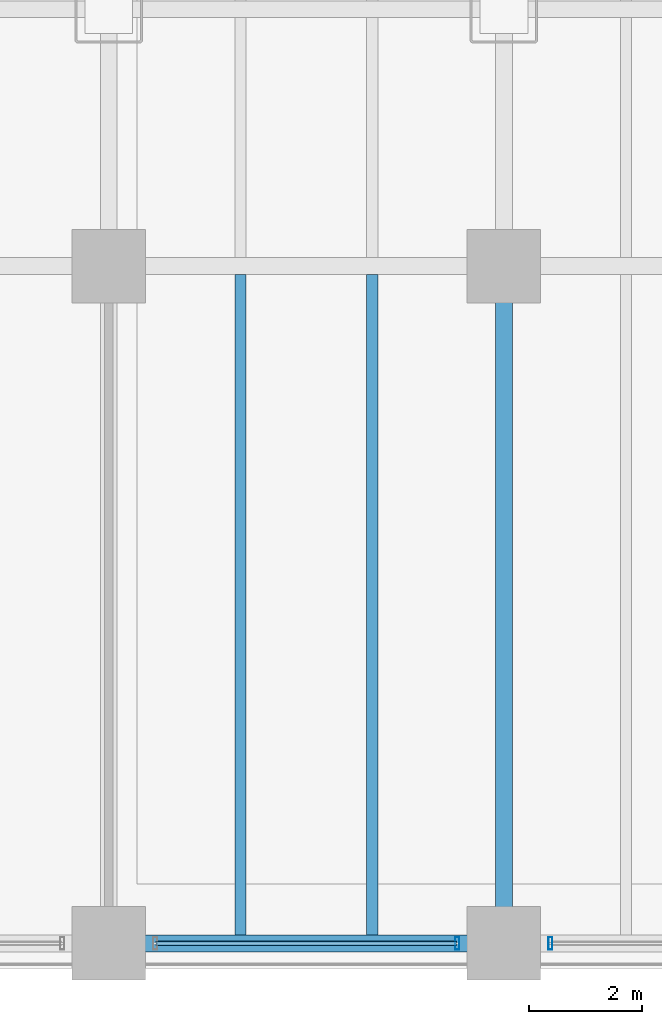
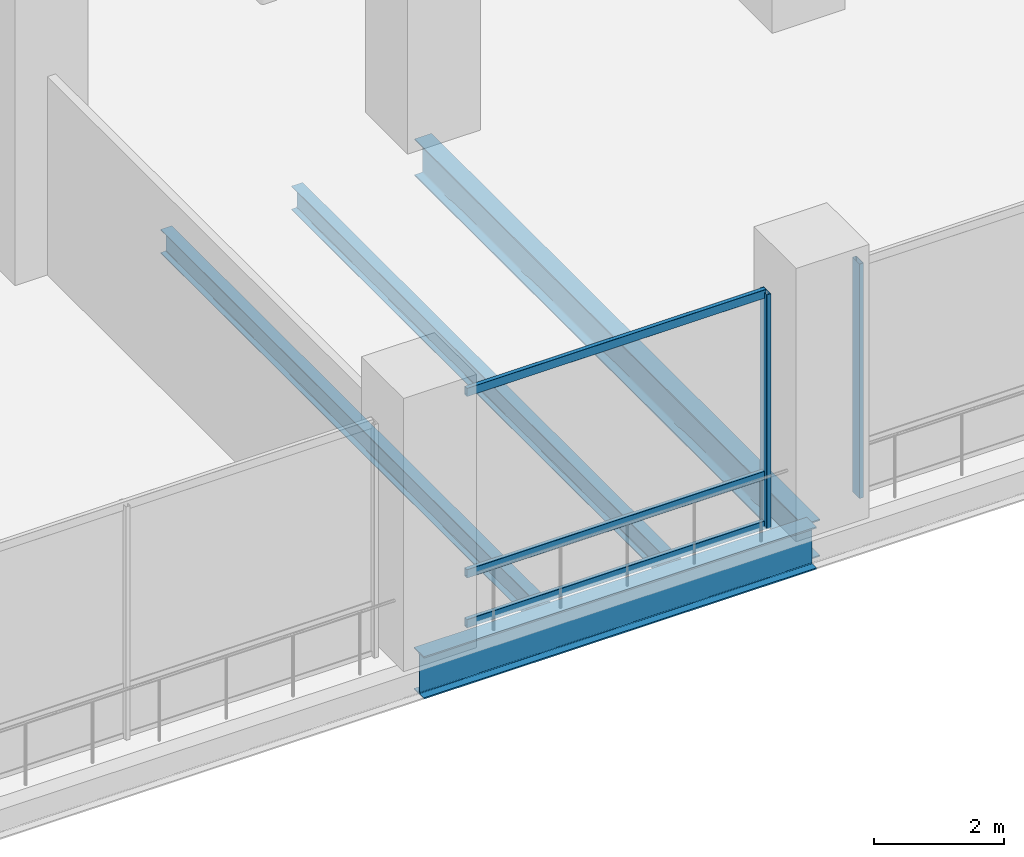
# One storey, part 7 of 30: 5 members, 4 beams, 2 elements without a shape of their own.
"""IFC4 building model written with IfcOpenShell, lengths in metres."""

from ifc_helpers import new_model, si_unit, direction, frame, origin, origin_2d, place, context, subcontext, project, spatial, hollow_rectangle, i_section, extrude, material, material_profile, profile_set, type_object, element, aggregate, save


model = new_model("IFC4")

# Units and contexts
model_context = context("Model", 3, precision=1e-05, world=origin(), true_north=direction((0.0, 1.0)))
body_context = subcontext(model_context, "Body", "Model", "MODEL_VIEW")
ifc_project = project(units=[si_unit("LENGTHUNIT", "METRE"), si_unit("AREAUNIT", "SQUARE_METRE"), si_unit("VOLUMEUNIT", "CUBIC_METRE"), si_unit("PLANEANGLEUNIT", "RADIAN"), si_unit("MASSUNIT", "GRAM", prefix="KILO")], contexts=[model_context])

# Site, building, storey
site_placement = place(None, origin())
site = spatial("IfcSite", under=ifc_project, at=site_placement, CompositionType="ELEMENT")
building_placement = place(site_placement, origin())
building = spatial("IfcBuilding", under=site, at=building_placement, Name="Noeulbin Bourse Tower", CompositionType="ELEMENT")
storey_placement = place(building_placement, frame((0.0, 0.0, 16.60009765625)))
storey = spatial("IfcBuildingStorey", under=building, at=storey_placement, Name="L04", CompositionType="ELEMENT", Elevation=16.60009765625)

# Beams
ifc_material_1 = material(Name="Steel S355", Category="steel")
ifc_material_profile_1 = material_profile(ifc_material_1, i_section(OverallWidth=0.300048828125, OverallDepth=0.699951171875, WebThickness=0.012939453125, FlangeThickness=0.02392578125, FilletRadius=0.02392578125, at=origin_2d()), Name="H-700x300x13x24", Category="LoadBearing")
ifc_profile_set_1 = profile_set([ifc_material_profile_1], Name="Steel S355")
beam_type_1 = type_object("IfcBeamType", Name="BM-GRD-700", PredefinedType="USERDEFINED", material=ifc_profile_set_1)
beam_1_placement = place(storey_placement, frame((31.0, 3.449951171875, -0.60009765625), z_axis=(0.0, 1.0, 0.0), x_axis=(-1.0, 0.0, 0.0)))
element("IfcBeam", 1, at=beam_1_placement, inside=storey, type_object=beam_type_1, Name="Podium Primary Girder NS L04-080", ObjectType="GIRDER", PredefinedType="USERDEFINED", context=body_context, shape_type="SweptSolid", body=[
    extrude(i_section(OverallWidth=0.300048828125, OverallDepth=0.699951171875, WebThickness=0.012939453125, FlangeThickness=0.02392578125, FilletRadius=0.02392578125, at=origin_2d()), origin(), (0.0, 0.0, 1.0), 12.0),
])
ifc_material_profile_2 = material_profile(ifc_material_1, i_section(OverallWidth=0.300048828125, OverallDepth=0.800048828125, WebThickness=0.013916015625, FlangeThickness=0.02587890625, FilletRadius=0.02587890625, at=origin_2d()), Name="H-800x300x14x26", Category="LoadBearing")
ifc_profile_set_2 = profile_set([ifc_material_profile_2], Name="Steel S355")
beam_type_2 = type_object("IfcBeamType", Name="BM-GRD-800", PredefinedType="USERDEFINED", material=ifc_profile_set_2)
beam_2_placement = place(storey_placement, frame((24.0, 3.449951171875, -0.650146484375), z_axis=(1.0, 0.0, 0.0), x_axis=(0.0, 1.0, 0.0)))
element("IfcBeam", 2, at=beam_2_placement, inside=storey, type_object=beam_type_2, Name="Podium Primary Girder EW L04-004", ObjectType="GIRDER", PredefinedType="USERDEFINED", context=body_context, shape_type="SweptSolid", body=[
    extrude(i_section(OverallWidth=0.300048828125, OverallDepth=0.800048828125, WebThickness=0.013916015625, FlangeThickness=0.02587890625, FilletRadius=0.02587890625, at=origin_2d()), origin(), (0.0, 0.0, 1.0), 7.0),
])
ifc_material_profile_3 = material_profile(ifc_material_1, i_section(OverallWidth=0.199951171875, OverallDepth=0.449951171875, WebThickness=0.009033203125, FlangeThickness=0.013916015625, FilletRadius=0.01806640625, at=origin_2d()), Name="H-450x200x9x14", Category="LoadBearing")
ifc_profile_set_3 = profile_set([ifc_material_profile_3], Name="Steel S355")
beam_type_3 = type_object("IfcBeamType", Name="BM-SEC-450", PredefinedType="BEAM", material=ifc_profile_set_3)
for number, where, z_axis, x_axis, name in (
    (3, (26.333251953125, 3.60009765625, -0.47509765625), (0.0, 1.0, 0.0), (-1.0, 0.0, 0.0), "Podium Secondary Beam L04-043"),
    (4, (28.666748046875, 3.60009765625, -0.47509765625), (0.0, 1.0, 0.0), (-1.0, 0.0, 0.0), "Podium Secondary Beam L04-048"),
):
    element("IfcBeam", number, at=place(storey_placement, frame(where, z_axis=z_axis, x_axis=x_axis)), inside=storey, type_object=beam_type_3, Name=name, PredefinedType="BEAM", context=body_context, shape_type="SweptSolid", body=[
        extrude(i_section(OverallWidth=0.199951171875, OverallDepth=0.449951171875, WebThickness=0.009033203125, FlangeThickness=0.013916015625, FilletRadius=0.01806640625, at=origin_2d()), origin(), (0.0, 0.0, 1.0), 11.699951171875),
    ])

# Curtain wall, member
ifc_material_2 = material(Name="Laminated Clear Low-E Glass", Category="glass")
curtain_wall_type = type_object("IfcCurtainWallType", Name="CW-SYS-1", PredefinedType="NOTDEFINED", material=ifc_material_2)
curtain_wall_1_placement = place(storey_placement, origin())
curtain_wall_1 = element("IfcCurtainWall", 5, at=curtain_wall_1_placement, inside=storey, type_object=curtain_wall_type, Name="Unitised Curtain Wall CW-L04-POD-S-S3", PredefinedType="NOTDEFINED")
ifc_material_3 = material(Name="Anodised Aluminium 6063-T6", Category="aluminium")
ifc_material_profile_4 = material_profile(ifc_material_3, hollow_rectangle(XDim=0.074951171875, YDim=0.219970703125, WallThickness=0.0048828125, InnerFilletRadius=0.00244140625, OuterFilletRadius=0.0048828125, at=origin_2d()), Name="ALU-MULL-75x220x5", Category="LoadBearing")
ifc_profile_set_4 = profile_set([ifc_material_profile_4], Name="Anodised Aluminium 6063-T6")
member_type_1 = type_object("IfcMemberType", Name="CW-SYS-1-MUL", PredefinedType="MULLION", material=ifc_profile_set_4)
member_1_placement = place(storey_placement, frame((30.175048828125, 3.449951171875, -0.02001953125), z_axis=(0.0, 0.0, 1.0), x_axis=(1.0, 0.0, 0.0)))
member_1 = element("IfcMember", 6, at=member_1_placement, type_object=member_type_1, Name="Curtain Wall Mullion CW-L04-POD-S-S3-M01", PredefinedType="MULLION", context=body_context, shape_type="SweptSolid", body=[
    extrude(hollow_rectangle(XDim=0.074951171875, YDim=0.219970703125, WallThickness=0.0048828125, InnerFilletRadius=0.00244140625, OuterFilletRadius=0.0048828125, at=origin_2d()), origin(), (0.0, 0.0, 1.0), 4.419921875),
])

curtain_wall_2_placement = place(storey_placement, origin())
curtain_wall_2 = element("IfcCurtainWall", 7, at=curtain_wall_2_placement, inside=storey, type_object=curtain_wall_type, Name="Unitised Curtain Wall CW-L04-POD-S-S4", PredefinedType="NOTDEFINED")
member_2_placement = place(storey_placement, frame((31.824951171875, 3.449951171875, -0.02001953125), z_axis=(0.0, 0.0, 1.0), x_axis=(1.0, 0.0, 0.0)))
member_2 = element("IfcMember", 8, at=member_2_placement, type_object=member_type_1, Name="Curtain Wall Mullion CW-L04-POD-S-S4-M00", PredefinedType="MULLION", context=body_context, shape_type="SweptSolid", body=[
    extrude(hollow_rectangle(XDim=0.074951171875, YDim=0.219970703125, WallThickness=0.0048828125, InnerFilletRadius=0.00244140625, OuterFilletRadius=0.0048828125, at=origin_2d()), origin(), (0.0, 0.0, 1.0), 4.419921875),
])
aggregate(curtain_wall_2, [member_2])

# Member
ifc_material_profile_5 = material_profile(ifc_material_3, hollow_rectangle(XDim=0.074951171875, YDim=0.159912109375, WallThickness=0.0048828125, InnerFilletRadius=0.00244140625, OuterFilletRadius=0.0048828125, at=origin_2d()), Name="ALU-TRAN-75x160x5", Category="LoadBearing")
ifc_profile_set_5 = profile_set([ifc_material_profile_5], Name="Anodised Aluminium 6063-T6")
member_type_2 = type_object("IfcMemberType", Name="CW-SYS-1-TRN", PredefinedType="USERDEFINED", material=ifc_profile_set_5)
member_3_placement = place(storey_placement, frame((24.8349609375, 3.449951171875, 0.010009765625), z_axis=(1.0, 0.0, 0.0), x_axis=(0.0, 1.0, 0.0)))
member_3 = element("IfcMember", 9, at=member_3_placement, type_object=member_type_2, Name="Curtain Wall Transom CW-L04-POD-S-S3-T00", ObjectType="TRANSOM", PredefinedType="USERDEFINED", context=body_context, shape_type="SweptSolid", body=[
    extrude(hollow_rectangle(XDim=0.074951171875, YDim=0.159912109375, WallThickness=0.0048828125, InnerFilletRadius=0.00244140625, OuterFilletRadius=0.0048828125, at=origin_2d()), origin(), (0.0, 0.0, 1.0), 5.330078125),
])

member_4_placement = place(storey_placement, frame((24.8349609375, 3.449951171875, 0.949951171875), z_axis=(1.0, 0.0, 0.0), x_axis=(0.0, 1.0, 0.0)))
member_4 = element("IfcMember", 10, at=member_4_placement, type_object=member_type_2, Name="Curtain Wall Transom CW-L04-POD-S-S3-T01", ObjectType="TRANSOM", PredefinedType="USERDEFINED", context=body_context, shape_type="SweptSolid", body=[
    extrude(hollow_rectangle(XDim=0.074951171875, YDim=0.159912109375, WallThickness=0.0048828125, InnerFilletRadius=0.00244140625, OuterFilletRadius=0.0048828125, at=origin_2d()), origin(), (0.0, 0.0, 1.0), 5.330078125),
])

member_5_placement = place(storey_placement, frame((24.8349609375, 3.449951171875, 4.369873046875), z_axis=(1.0, 0.0, 0.0), x_axis=(0.0, 1.0, 0.0)))
member_5 = element("IfcMember", 11, at=member_5_placement, type_object=member_type_2, Name="Curtain Wall Transom CW-L04-POD-S-S3-T02", ObjectType="TRANSOM", PredefinedType="USERDEFINED", context=body_context, shape_type="SweptSolid", body=[
    extrude(hollow_rectangle(XDim=0.074951171875, YDim=0.159912109375, WallThickness=0.0048828125, InnerFilletRadius=0.00244140625, OuterFilletRadius=0.0048828125, at=origin_2d()), origin(), (0.0, 0.0, 1.0), 5.330078125),
])

aggregate(curtain_wall_1, [member_1, member_3, member_4, member_5])

save(model, "model.ifc")
